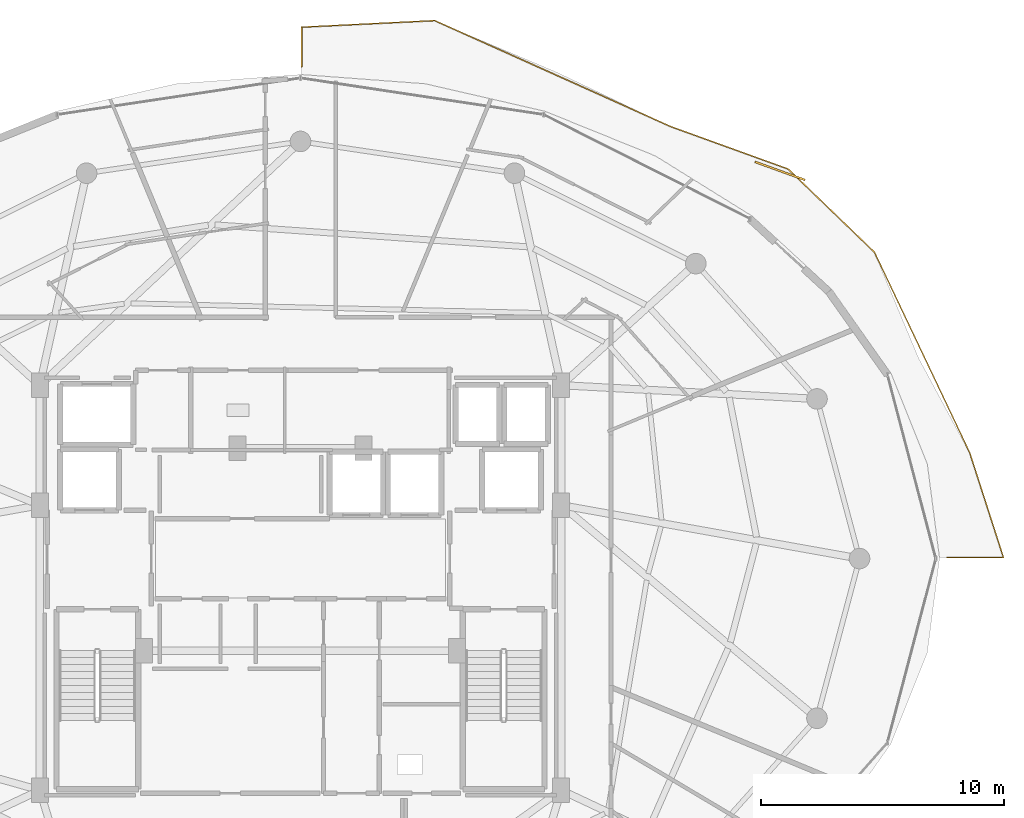
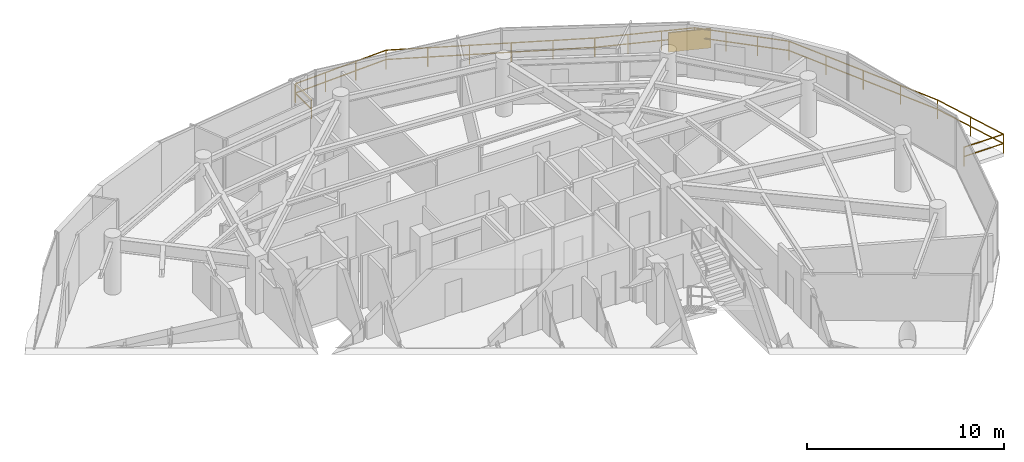
# One storey, part 30 of 31: 2 railings, 1 shading device.
"""IFC4 building model written with IfcOpenShell, lengths in metres."""

from ifc_helpers import new_model, si_unit, direction, frame, origin, origin_2d, place, context, subcontext, project, spatial, rectangle, extrude, material, type_object, element, save


model = new_model("IFC4")

# Units and contexts
model_context = context("Model", 3, precision=1e-05, world=origin(), true_north=direction((0.0, 1.0)))
body_context = subcontext(model_context, "Body", "Model", "MODEL_VIEW")
ifc_project = project(units=[si_unit("LENGTHUNIT", "METRE"), si_unit("AREAUNIT", "SQUARE_METRE"), si_unit("VOLUMEUNIT", "CUBIC_METRE"), si_unit("PLANEANGLEUNIT", "RADIAN"), si_unit("MASSUNIT", "GRAM", prefix="KILO")], contexts=[model_context])

# Site, building, storey
site_placement = place(None, origin())
site = spatial("IfcSite", under=ifc_project, at=site_placement, CompositionType="ELEMENT")
building_placement = place(site_placement, origin())
building = spatial("IfcBuilding", under=site, at=building_placement, Name="Vorneva Point Tower", CompositionType="ELEMENT")
storey_placement = place(building_placement, frame((0.0, 0.0, 266.199951171875)))
storey = spatial("IfcBuildingStorey", under=building, at=storey_placement, Name="L72", CompositionType="ELEMENT", Elevation=266.199951171875)

# Railings
ifc_material = material(Name="Pale anodised aluminium", Category="aluminium")
railing_type = type_object("IfcRailingType", Name="RL-BAL-1200", PredefinedType="BALUSTRADE", material=ifc_material)
railing_1_placement = place(storey_placement, frame((38.050048828125, 47.91259765625, 0.0)))
element("IfcRailing", 1, at=railing_1_placement, inside=storey, type_object=railing_type, Name="L72 Wave Balcony Balustrade NE.1", PredefinedType="BALUSTRADE", context=body_context, shape_type="SweptSolid", body=[
    extrude(rectangle(XDim=0.048095703125, YDim=0.048095703125, at=origin_2d()), frame((0.0, 0.0, 1.17578125), z_axis=(0.0, -1.0, 0.0), x_axis=(1.0, 0.0, 0.0)), (0.0, 0.0, 1.0), 1.635498046875),
    extrude(rectangle(XDim=0.048095703125, YDim=0.048095703125, at=origin_2d()), frame((0.0, 0.0, 0.60009765625), z_axis=(0.0, -1.0, 0.0), x_axis=(1.0, 0.0, 0.0)), (0.0, 0.0, 1.0), 1.635498046875),
    extrude(rectangle(XDim=0.0419921875, YDim=0.0419921875, at=origin_2d()), origin(), (0.0, 0.0, 1.0), 1.15185546875),
    extrude(rectangle(XDim=0.0419921875, YDim=0.0419921875, at=origin_2d()), frame((0.0, -1.635498046875, 0.0)), (0.0, 0.0, 1.0), 1.15185546875),
])
railing_2_placement = place(storey_placement, frame((64.666259765625, 26.050048828125, 0.0)))
element("IfcRailing", 2, at=railing_2_placement, inside=storey, type_object=railing_type, Name="L72 Wave Balcony Balustrade NE.2", PredefinedType="BALUSTRADE", context=body_context, shape_type="SweptSolid", body=[
    extrude(rectangle(XDim=0.048095703125, YDim=0.048095703125, at=origin_2d()), frame((0.0, 0.0, 1.17578125), z_axis=(1.0, 0.0, 0.0), x_axis=(0.0, 1.0, 0.0)), (0.0, 0.0, 1.0), 2.317626953125),
    extrude(rectangle(XDim=0.048095703125, YDim=0.048095703125, at=origin_2d()), frame((0.0, 0.0, 0.60009765625), z_axis=(1.0, 0.0, 0.0), x_axis=(0.0, 1.0, 0.0)), (0.0, 0.0, 1.0), 2.317626953125),
    extrude(rectangle(XDim=0.048095703125, YDim=0.048095703125, at=origin_2d()), frame((2.317626953125, 0.0, 1.17578125), z_axis=(-0.306542143936, 0.951857086957, 0.0), x_axis=(-0.951857086957, -0.306542143936, 0.0)), (0.0, 0.0, 1.0), 4.522216796875),
    extrude(rectangle(XDim=0.048095703125, YDim=0.048095703125, at=origin_2d()), frame((2.317626953125, 0.0, 0.60009765625), z_axis=(-0.306542143936, 0.951857086957, 0.0), x_axis=(-0.951857086957, -0.306542143936, 0.0)), (0.0, 0.0, 1.0), 4.522216796875),
    extrude(rectangle(XDim=0.048095703125, YDim=0.048095703125, at=origin_2d()), frame((0.931396484375, 4.304443359375, 1.17578125), z_axis=(-0.429112755204, 0.903250930429, 0.0), x_axis=(-0.903250930429, -0.429112755204, 0.0)), (0.0, 0.0, 1.0), 9.169189453125),
    extrude(rectangle(XDim=0.048095703125, YDim=0.048095703125, at=origin_2d()), frame((0.931396484375, 4.304443359375, 0.60009765625), z_axis=(-0.429112755204, 0.903250930429, 0.0), x_axis=(-0.903250930429, -0.429112755204, 0.0)), (0.0, 0.0, 1.0), 9.169189453125),
    extrude(rectangle(XDim=0.048095703125, YDim=0.048095703125, at=origin_2d()), frame((-3.003173828125, 12.58642578125, 1.17578125), z_axis=(-0.71996871412, 0.694006520638, 0.0), x_axis=(-0.694006520638, -0.71996871412, 0.0)), (0.0, 0.0, 1.0), 4.93701171875),
    extrude(rectangle(XDim=0.048095703125, YDim=0.048095703125, at=origin_2d()), frame((-3.003173828125, 12.58642578125, 0.60009765625), z_axis=(-0.71996871412, 0.694006520638, 0.0), x_axis=(-0.694006520638, -0.71996871412, 0.0)), (0.0, 0.0, 1.0), 4.93701171875),
    extrude(rectangle(XDim=0.048095703125, YDim=0.048095703125, at=origin_2d()), frame((-6.5576171875, 16.0126953125, 1.17578125), z_axis=(-0.940432896027, 0.339979364184, 0.0), x_axis=(-0.339979364184, -0.940432896027, 0.0)), (0.0, 0.0, 1.0), 5.158935546875),
    extrude(rectangle(XDim=0.048095703125, YDim=0.048095703125, at=origin_2d()), frame((-6.5576171875, 16.0126953125, 0.60009765625), z_axis=(-0.940432896027, 0.339979364184, 0.0), x_axis=(-0.339979364184, -0.940432896027, 0.0)), (0.0, 0.0, 1.0), 5.158935546875),
    extrude(rectangle(XDim=0.048095703125, YDim=0.048095703125, at=origin_2d()), frame((-11.4091796875, 17.7666015625, 1.17578125), z_axis=(-0.912226387749, 0.409686486835, 0.0), x_axis=(-0.409686486835, -0.912226387749, 0.0)), (0.0, 0.0, 1.0), 10.6591796875),
    extrude(rectangle(XDim=0.048095703125, YDim=0.048095703125, at=origin_2d()), frame((-11.4091796875, 17.7666015625, 0.60009765625), z_axis=(-0.912226387749, 0.409686486835, 0.0), x_axis=(-0.409686486835, -0.912226387749, 0.0)), (0.0, 0.0, 1.0), 10.6591796875),
    extrude(rectangle(XDim=0.048095703125, YDim=0.048095703125, at=origin_2d()), frame((-21.1328125, 22.133544921875, 1.17578125), z_axis=(-0.99878100538, -0.049360949064, 0.0), x_axis=(0.049360949064, -0.99878100538, 0.0)), (0.0, 0.0, 1.0), 5.489990234375),
    extrude(rectangle(XDim=0.048095703125, YDim=0.048095703125, at=origin_2d()), frame((-21.1328125, 22.133544921875, 0.60009765625), z_axis=(-0.99878100538, -0.049360949064, 0.0), x_axis=(0.049360949064, -0.99878100538, 0.0)), (0.0, 0.0, 1.0), 5.489990234375),
    extrude(rectangle(XDim=0.0419921875, YDim=0.0419921875, at=origin_2d()), origin(), (0.0, 0.0, 1.0), 1.15185546875),
    extrude(rectangle(XDim=0.0419921875, YDim=0.0419921875, at=origin_2d()), frame((2.317626953125, 0.0, 0.0)), (0.0, 0.0, 1.0), 1.15185546875),
    extrude(rectangle(XDim=0.0419921875, YDim=0.0419921875, at=origin_2d()), frame((1.62451171875, 2.15234375, 0.0)), (0.0, 0.0, 1.0), 1.15185546875),
    extrude(rectangle(XDim=0.0419921875, YDim=0.0419921875, at=origin_2d()), frame((0.931396484375, 4.304443359375, 0.0)), (0.0, 0.0, 1.0), 1.15185546875),
    extrude(rectangle(XDim=0.0419921875, YDim=0.0419921875, at=origin_2d()), frame((-0.05224609375, 6.375, 0.0)), (0.0, 0.0, 1.0), 1.15185546875),
    extrude(rectangle(XDim=0.0419921875, YDim=0.0419921875, at=origin_2d()), frame((-1.035888671875, 8.4453125, 0.0)), (0.0, 0.0, 1.0), 1.15185546875),
    extrude(rectangle(XDim=0.0419921875, YDim=0.0419921875, at=origin_2d()), frame((-2.01953125, 10.515869140625, 0.0)), (0.0, 0.0, 1.0), 1.15185546875),
    extrude(rectangle(XDim=0.0419921875, YDim=0.0419921875, at=origin_2d()), frame((-3.003173828125, 12.58642578125, 0.0)), (0.0, 0.0, 1.0), 1.15185546875),
    extrude(rectangle(XDim=0.0419921875, YDim=0.0419921875, at=origin_2d()), frame((-4.18798828125, 13.728515625, 0.0)), (0.0, 0.0, 1.0), 1.15185546875),
    extrude(rectangle(XDim=0.0419921875, YDim=0.0419921875, at=origin_2d()), frame((-5.372802734375, 14.87060546875, 0.0)), (0.0, 0.0, 1.0), 1.15185546875),
    extrude(rectangle(XDim=0.0419921875, YDim=0.0419921875, at=origin_2d()), frame((-6.5576171875, 16.0126953125, 0.0)), (0.0, 0.0, 1.0), 1.15185546875),
    extrude(rectangle(XDim=0.0419921875, YDim=0.0419921875, at=origin_2d()), frame((-8.1748046875, 16.597412109375, 0.0)), (0.0, 0.0, 1.0), 1.15185546875),
    extrude(rectangle(XDim=0.0419921875, YDim=0.0419921875, at=origin_2d()), frame((-9.7919921875, 17.181884765625, 0.0)), (0.0, 0.0, 1.0), 1.15185546875),
    extrude(rectangle(XDim=0.0419921875, YDim=0.0419921875, at=origin_2d()), frame((-11.4091796875, 17.7666015625, 0.0)), (0.0, 0.0, 1.0), 1.15185546875),
    extrude(rectangle(XDim=0.0419921875, YDim=0.0419921875, at=origin_2d()), frame((-13.35400390625, 18.639892578125, 0.0)), (0.0, 0.0, 1.0), 1.15185546875),
    extrude(rectangle(XDim=0.0419921875, YDim=0.0419921875, at=origin_2d()), frame((-15.298583984375, 19.513427734375, 0.0)), (0.0, 0.0, 1.0), 1.15185546875),
    extrude(rectangle(XDim=0.0419921875, YDim=0.0419921875, at=origin_2d()), frame((-17.243408203125, 20.38671875, 0.0)), (0.0, 0.0, 1.0), 1.15185546875),
    extrude(rectangle(XDim=0.0419921875, YDim=0.0419921875, at=origin_2d()), frame((-19.18798828125, 21.26025390625, 0.0)), (0.0, 0.0, 1.0), 1.15185546875),
    extrude(rectangle(XDim=0.0419921875, YDim=0.0419921875, at=origin_2d()), frame((-21.1328125, 22.133544921875, 0.0)), (0.0, 0.0, 1.0), 1.15185546875),
    extrude(rectangle(XDim=0.0419921875, YDim=0.0419921875, at=origin_2d()), frame((-22.960693359375, 22.043212890625, 0.0)), (0.0, 0.0, 1.0), 1.15185546875),
    extrude(rectangle(XDim=0.0419921875, YDim=0.0419921875, at=origin_2d()), frame((-24.788330078125, 21.952880859375, 0.0)), (0.0, 0.0, 1.0), 1.15185546875),
    extrude(rectangle(XDim=0.0419921875, YDim=0.0419921875, at=origin_2d()), frame((-26.6162109375, 21.862548828125, 0.0)), (0.0, 0.0, 1.0), 1.15185546875),
])

# Shading device
shading_device_type = type_object("IfcShadingDeviceType", Name="SHD-JAL-1200", PredefinedType="JALOUSIE", material=ifc_material)
shading_device_placement = place(storey_placement, frame((57.771240234375, 41.984619140625, -0.02001953125), z_axis=(0.0, 0.0, 1.0), x_axis=(-0.940436556093, 0.339969239731, 0.0)))
element("IfcShadingDevice", 3, at=shading_device_placement, inside=storey, type_object=shading_device_type, Name="L72 Balcony Vertical-Greenery Planter Screen NE.2", PredefinedType="JALOUSIE", context=body_context, shape_type="SweptSolid", body=[
    extrude(rectangle(XDim=2.199951171875, YDim=0.080078125, at=origin_2d()), origin(), (0.0, 0.0, 1.0), 1.199951171875),
])

save(model, "model.ifc")
